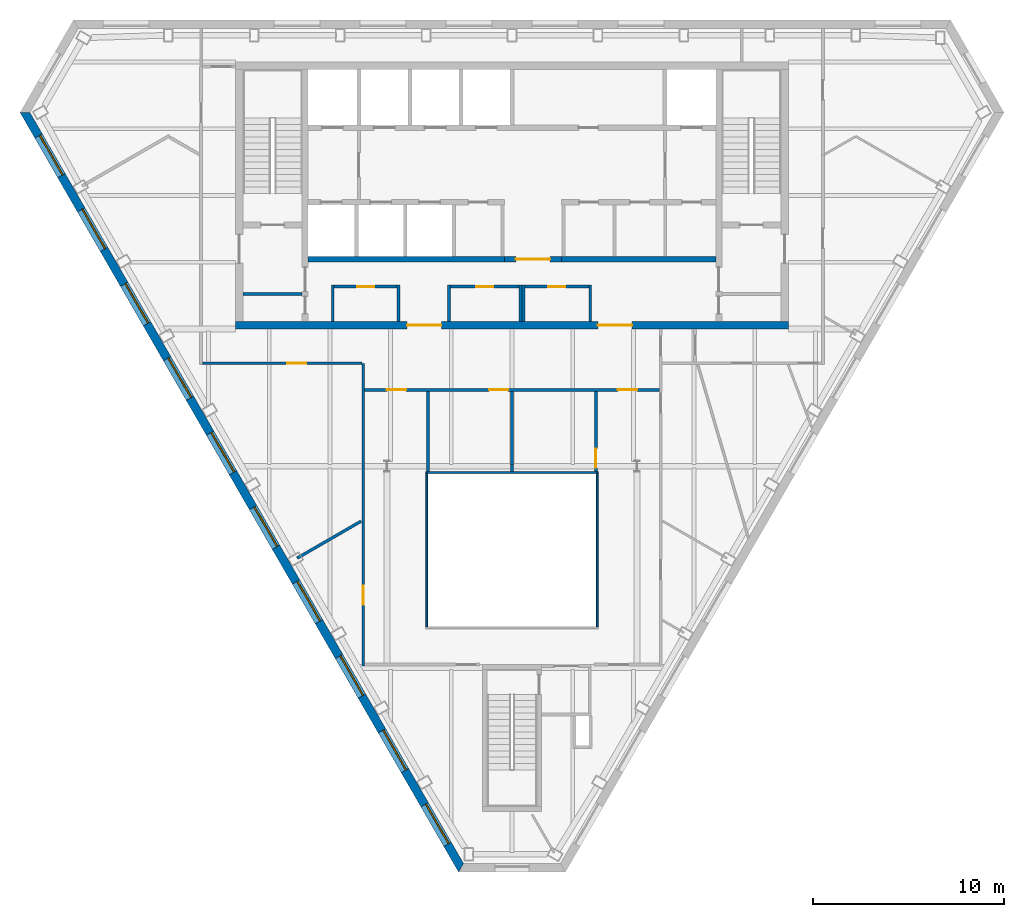
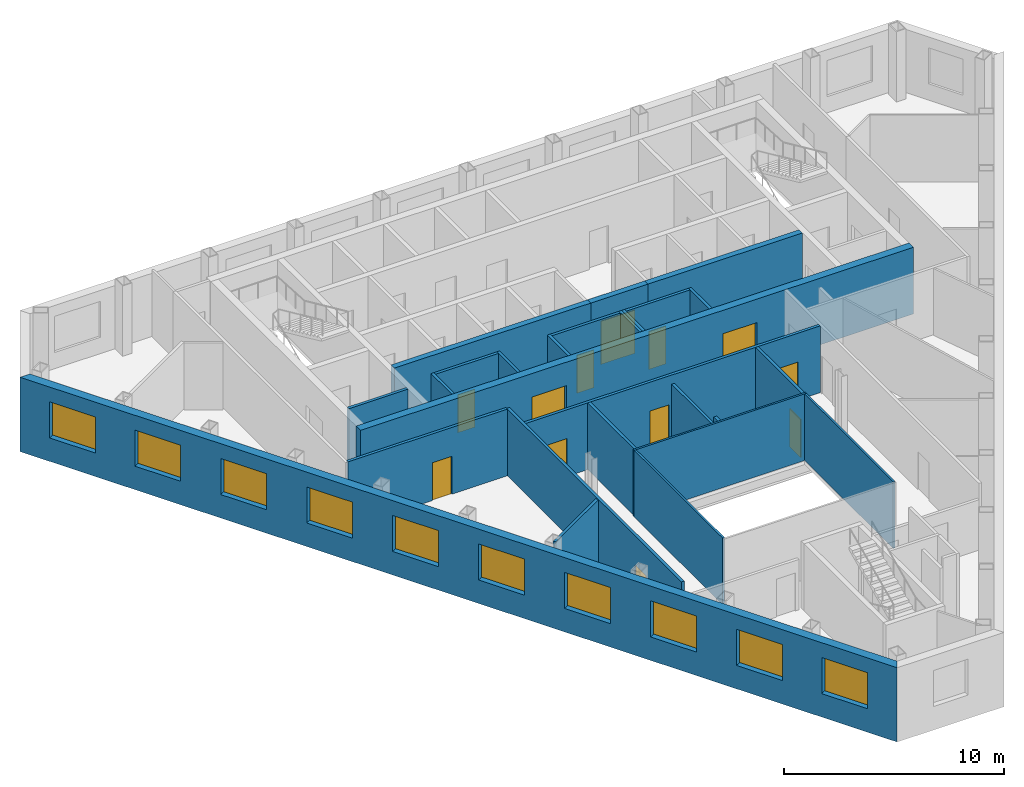
# One storey, part 4 of 10: 26 walls, 12 doors, 10 windows, 22 openings.
"""IFC4 building model written with IfcOpenShell, lengths in metres."""

import ifcopenshell
import ifcopenshell.guid

model = None  # the IFC model being written
_history = None  # IfcOwnerHistory: only IFC2X3 demands one
_inside = {}  # id of a spatial element -> (the spatial element, [elements in it])
_under = {}  # id of a project, library or spatial element -> (it, [spatial elements below it])
_declared = {}  # id of a project -> (the project, [libraries it declares])
_typed = {}  # id of a type object -> (the type object, [elements of that type])
_made_of = {}  # id of a material, layer set ... -> (it, [elements and type objects made of it])


def new_model(schema):
    """Start an empty IFC model of exactly this schema.

    Asked for "IFC4X3", IfcOpenShell would pick the latest addendum, in which some entities
    have other attributes; the version numbers below select the first issue.
    IFC2X3 requires an IfcOwnerHistory on every rooted entity: one is made here for all.
    """
    global model, _history
    if schema == "IFC4X3":
        model = ifcopenshell.file(schema_version=(4, 3, 0, 0))
    else:
        model = ifcopenshell.file(schema=schema)
    _inside.clear()
    _under.clear()
    _declared.clear()
    _typed.clear()
    _made_of.clear()
    _history = None
    if model.schema == "IFC2X3":
        org = make("IfcOrganization", Name="unknown")
        user = make(
            "IfcPersonAndOrganization",
            ThePerson=make("IfcPerson", FamilyName="unknown"),
            TheOrganization=org,
        )
        app = make(
            "IfcApplication",
            ApplicationDeveloper=org,
            Version="unknown",
            ApplicationFullName="unknown",
            ApplicationIdentifier="unknown",
        )
        _history = make(
            "IfcOwnerHistory",
            OwningUser=user,
            OwningApplication=app,
            ChangeAction="ADDED",
            CreationDate=0,
        )
    return model


def make(cls, **values):
    """One entity of the class cls with the attributes given. An attribute that is None is left unset."""
    return model.create_entity(
        cls, **{name: value for name, value in values.items() if value is not None}
    )


def rooted(cls, **values):
    """An entity with a GlobalId (a new one), such as an element, a storey or a relation."""
    return make(cls, GlobalId=ifcopenshell.guid.new(), OwnerHistory=_history, **values)


def si_unit(unit_type, name, prefix=None):
    """IfcSIUnit, for example si_unit("LENGTHUNIT", "METRE", prefix="MILLI")."""
    return make("IfcSIUnit", UnitType=unit_type, Prefix=prefix, Name=name)


def assignment(units):
    """IfcUnitAssignment: the units of a project."""
    return None if units is None else make("IfcUnitAssignment", Units=units)


def point(xyz):
    """IfcCartesianPoint."""
    return None if xyz is None else make("IfcCartesianPoint", Coordinates=xyz)


def direction(xyz):
    """IfcDirection."""
    return None if xyz is None else make("IfcDirection", DirectionRatios=xyz)


def frame(location, z_axis=None, x_axis=None):
    """IfcAxis2Placement3D, a coordinate frame: its origin and axes. An axis left out is left unset."""
    return make(
        "IfcAxis2Placement3D",
        Location=point(location),
        Axis=direction(z_axis),
        RefDirection=direction(x_axis),
    )


def frame_2d(location, x_axis=None):
    """IfcAxis2Placement2D, a coordinate frame in the plane: its origin and x axis."""
    return make(
        "IfcAxis2Placement2D", Location=point(location), RefDirection=direction(x_axis)
    )


def origin():
    """The frame at (0, 0, 0) with its axes left unset."""
    return frame((0.0, 0.0, 0.0))


def place(relative_to, where):
    """IfcLocalPlacement: puts the frame where relative to a parent placement (None: the world)."""
    return make(
        "IfcLocalPlacement", PlacementRelTo=relative_to, RelativePlacement=where
    )


def context(
    kind, dimensions, precision=None, world=None, true_north=None, identifier=None
):
    """IfcGeometricRepresentationContext, for example the 3D "Model" context."""
    return make(
        "IfcGeometricRepresentationContext",
        ContextIdentifier=identifier,
        ContextType=kind,
        CoordinateSpaceDimension=dimensions,
        Precision=precision,
        WorldCoordinateSystem=world,
        TrueNorth=true_north,
    )


def subcontext(parent, identifier, kind, view, scale=None):
    """IfcGeometricRepresentationSubContext, for example "Body" below "Model"."""
    return make(
        "IfcGeometricRepresentationSubContext",
        ContextIdentifier=identifier,
        ContextType=kind,
        ParentContext=parent,
        TargetScale=scale,
        TargetView=view,
    )


def project(units=None, contexts=None):
    """IfcProject with its units and contexts."""
    return rooted(
        "IfcProject",
        Name="project",
        RepresentationContexts=contexts,
        UnitsInContext=assignment(units),
    )


def spatial(cls, under=None, at=None, **own):
    """A site, building, storey or space (cls), placed at a placement, below another one or the project."""
    s = rooted(cls, ObjectPlacement=at, **own)
    if under is not None:
        _under.setdefault(under.id(), (under, []))[1].append(s)
    return s


def polyline(points):
    """IfcPolyline through the points."""
    return make("IfcPolyline", Points=[point(p) for p in points])


def profile(cls, at=None, kind="AREA", **sizes):
    """A parametric profile (cls). Its sizes go by their IFC names, for example OverallWidth=200.0."""
    return make(cls, ProfileType=kind, Position=at, **sizes)


def rectangle(**sizes):
    """IfcRectangleProfileDef."""
    return profile("IfcRectangleProfileDef", **sizes)


def outline(outer, holes=None, kind="AREA"):
    """IfcArbitraryClosedProfileDef: a profile drawn as a closed curve; with holes, ...WithVoids."""
    if holes is None:
        return make("IfcArbitraryClosedProfileDef", ProfileType=kind, OuterCurve=outer)
    return make(
        "IfcArbitraryProfileDefWithVoids",
        ProfileType=kind,
        OuterCurve=outer,
        InnerCurves=holes,
    )


def extrude(swept, where, along, depth):
    """IfcExtrudedAreaSolid: the profile swept, set in the frame where, extruded along a direction by depth."""
    return make(
        "IfcExtrudedAreaSolid",
        SweptArea=swept,
        Position=where,
        ExtrudedDirection=direction(along),
        Depth=depth,
    )


def shape(context_of_items, identifier, shape_type, items):
    """IfcShapeRepresentation: the items that make up one representation, for example the "Body"."""
    return make(
        "IfcShapeRepresentation",
        ContextOfItems=context_of_items,
        RepresentationIdentifier=identifier,
        RepresentationType=shape_type,
        Items=items,
    )


def material(Name=None, Category=None):
    """IfcMaterial."""
    return make("IfcMaterial", Name=Name, Category=Category)


def layer(
    of_material, thickness, ventilated=None, Name=None, Category=None, Priority=None
):
    """IfcMaterialLayer: one layer of a wall or slab, of a material (None: an air gap)."""
    return make(
        "IfcMaterialLayer",
        Material=of_material,
        LayerThickness=thickness,
        IsVentilated=ventilated,
        Name=Name,
        Category=Category,
        Priority=Priority,
    )


def layer_set(layers, Name=None):
    """IfcMaterialLayerSet."""
    return make("IfcMaterialLayerSet", MaterialLayers=layers, LayerSetName=Name)


def made_of(thing, what):
    """Note that an element or type object is made of a material, layer set ...; save() writes the relation."""
    if what is not None:
        _made_of.setdefault(what.id(), (what, []))[1].append(thing)
    return thing


def type_object(cls, material=None, **own):
    """A type object (cls), such as IfcWallType, which elements share."""
    return made_of(rooted(cls, **own), material)


def element(
    cls,
    number,
    at=None,
    inside=None,
    cuts=None,
    type_object=None,
    material=None,
    context=None,
    identifier="Body",
    shape_type=None,
    held_by="IfcProductDefinitionShape",
    body=None,
    shapes=None,
    **own,
):
    """One element of the class cls, such as IfcWall. Its Tag is "e" and its number.

    at: its placement. inside: the storey or other place that contains it. cuts: it is an
    opening in that element (IfcRelVoidsElement). A single representation is given by context,
    identifier, shape_type and body (its items); several are given by shapes. held_by: the class
    of the entity that holds the representations. save() writes the other relations.
    """
    e = rooted(cls, Tag="e%d" % number, ObjectPlacement=at, **own)
    if body is not None:
        shapes = [shape(context, identifier, shape_type, body)]
    if shapes is not None:
        e.Representation = make(held_by, Representations=shapes)
    if inside is not None:
        _inside.setdefault(inside.id(), (inside, []))[1].append(e)
    if cuts is not None:
        rooted(
            "IfcRelVoidsElement", RelatingBuildingElement=cuts, RelatedOpeningElement=e
        )
    if type_object is not None:
        _typed.setdefault(type_object.id(), (type_object, []))[1].append(e)
    return made_of(e, material)


def fill(opening, filler):
    """IfcRelFillsElement: the door or window that sits in an opening."""
    return rooted(
        "IfcRelFillsElement",
        RelatingOpeningElement=opening,
        RelatedBuildingElement=filler,
    )


def aggregate(whole, parts):
    """IfcRelAggregates: a whole, such as a stair, and the parts it consists of."""
    return rooted("IfcRelAggregates", RelatingObject=whole, RelatedObjects=parts)


def save(model, path):
    """Write the relations noted so far, then the file.

    IfcRelAggregates (storeys below a building ...), IfcRelContainedInSpatialStructure (elements
    in a storey), IfcRelDefinesByType, IfcRelAssociatesMaterial and IfcRelDeclares: one each for
    every whole, place, type object, material and project.
    """
    for whole, parts in _under.values():
        aggregate(whole, parts)
    for where, things in _inside.values():
        rooted(
            "IfcRelContainedInSpatialStructure",
            RelatedElements=things,
            RelatingStructure=where,
        )
    for kind, things in _typed.values():
        rooted("IfcRelDefinesByType", RelatedObjects=things, RelatingType=kind)
    for what, things in _made_of.values():
        rooted("IfcRelAssociatesMaterial", RelatedObjects=things, RelatingMaterial=what)
    for by, libraries in _declared.values():
        rooted("IfcRelDeclares", RelatingContext=by, RelatedDefinitions=libraries)
    model.write(path)


model = new_model("IFC4")

# Units and contexts
model_context = context("Model", 3, precision=1e-05, world=origin(), true_north=direction((0.0, 1.0)))
body_context = subcontext(model_context, "Body", "Model", "MODEL_VIEW")
ifc_project = project(units=[si_unit("LENGTHUNIT", "METRE"), si_unit("AREAUNIT", "SQUARE_METRE"), si_unit("VOLUMEUNIT", "CUBIC_METRE"), si_unit("PLANEANGLEUNIT", "RADIAN"), si_unit("MASSUNIT", "GRAM", prefix="KILO")], contexts=[model_context])

# Site, building, storey
site_placement = place(None, origin())
site = spatial("IfcSite", under=ifc_project, at=site_placement, CompositionType="ELEMENT")
building_placement = place(site_placement, origin())
building = spatial("IfcBuilding", under=site, at=building_placement, Name="Njiva Tower", CompositionType="ELEMENT")
storey_placement = place(building_placement, frame((0.0, 0.0, 276.6)))
storey = spatial("IfcBuildingStorey", under=building, at=storey_placement, Name="L63", CompositionType="ELEMENT", Elevation=276.6)

# Walls
ifc_material_1 = material(Name="Blockwork", Category="masonry")
ifc_layer_1 = layer(ifc_material_1, 0.15)
ifc_layer_set_1 = layer_set([ifc_layer_1], Name="Blockwork")
wall_type_1 = type_object("IfcWallType", Name="WT1 Compartment partition 150", PredefinedType="PARTITIONING", material=ifc_layer_set_1)
wall_1_placement = place(storey_placement, frame((-14.1, 5.825, 0.0), z_axis=(0.0, 0.0, 1.0), x_axis=(1.0, 0.0, 0.0)))
element("IfcWall", 1, at=wall_1_placement, inside=storey, type_object=wall_type_1, Name="Room wall A", PredefinedType="PARTITIONING", context=body_context, shape_type="SweptSolid", body=[
    extrude(rectangle(XDim=3.1, YDim=0.15, at=frame_2d((1.55, 0.0))), origin(), (0.0, 0.0, 1.0), 3.7),
])
for number, where, z_axis, x_axis, name in (
    (2, (-9.4, 4.4, 0.0), (0.0, 0.0, 1.0), (0.0, 1.0, 0.0), "Tenant reception wall west"),
    (3, (-5.95, 4.4, 0.0), (0.0, 0.0, 1.0), (0.0, 1.0, 0.0), "Tenant reception wall east"),
):
    element("IfcWall", number, at=place(storey_placement, frame(where, z_axis=z_axis, x_axis=x_axis)), inside=storey, type_object=wall_type_1, Name=name, PredefinedType="PARTITIONING", context=body_context, shape_type="SweptSolid", body=[
        extrude(rectangle(XDim=1.895, YDim=0.15, at=frame_2d((0.9475, 0.0))), origin(), (0.0, 0.0, 1.0), 3.7),
    ])

# Wall, opening, door
wall_2_placement = place(storey_placement, frame((-9.325, 6.22, 0.0), z_axis=(0.0, 0.0, 1.0), x_axis=(1.0, 0.0, 0.0)))
wall_2 = element("IfcWall", 4, at=wall_2_placement, inside=storey, type_object=wall_type_1, Name="Tenant reception wall north", PredefinedType="PARTITIONING", context=body_context, shape_type="SweptSolid", body=[
    extrude(rectangle(XDim=3.3, YDim=0.15, at=frame_2d((1.65, 0.0))), origin(), (0.0, 0.0, 1.0), 3.7),
])
opening_1_placement = place(wall_2_placement, frame((1.2, 0.0, 0.0)))
opening_1 = element("IfcOpeningElement", 5, at=opening_1_placement, cuts=wall_2, Name="Opening S20-D924", PredefinedType="OPENING", context=body_context, shape_type="SweptSolid", body=[
    extrude(rectangle(XDim=0.9, YDim=2.1, at=frame_2d((0.45, 1.05))), frame((0.0, 0.085, 0.0), z_axis=(0.0, -1.0, 0.0), x_axis=(1.0, 0.0, 0.0)), (0.0, 0.0, 1.0), 0.17),
])
ifc_material_2 = material(Name="Steel fire door, painted", Category="steel")
door_type_1 = type_object("IfcDoorType", Name="D6 Fire-rated door 900x2100", OperationType="SINGLE_SWING_LEFT", PredefinedType="DOOR", material=ifc_material_2)
door_1_placement = place(opening_1_placement, origin())
door_1 = element("IfcDoor", 6, at=door_1_placement, inside=storey, type_object=door_type_1, Name="Tenant reception door", OperationType="SINGLE_SWING_RIGHT", OverallHeight=2.1, OverallWidth=0.9, PredefinedType="DOOR", context=body_context, shape_type="SweptSolid", body=[
    extrude(rectangle(XDim=0.9, YDim=2.1, at=frame_2d((0.45, 1.05))), frame((0.0, 0.025, 0.0), z_axis=(0.0, -1.0, 0.0), x_axis=(1.0, 0.0, 0.0)), (0.0, 0.0, 1.0), 0.05),
])
fill(opening_1, door_1)

# Walls
for number, where, z_axis, x_axis, name in (
    (7, (-3.3, 4.4, 0.0), (0.0, 0.0, 1.0), (0.0, 1.0, 0.0), "Waiting room wall west"),
    (8, (0.45, 4.4, 0.0), (0.0, 0.0, 1.0), (0.0, 1.0, 0.0), "Waiting room wall east"),
):
    element("IfcWall", number, at=place(storey_placement, frame(where, z_axis=z_axis, x_axis=x_axis)), inside=storey, type_object=wall_type_1, Name=name, PredefinedType="PARTITIONING", context=body_context, shape_type="SweptSolid", body=[
        extrude(rectangle(XDim=1.895, YDim=0.15, at=frame_2d((0.9475, 0.0))), origin(), (0.0, 0.0, 1.0), 3.7),
    ])

# Wall, opening, door
wall_3_placement = place(storey_placement, frame((-3.225, 6.22, 0.0), z_axis=(0.0, 0.0, 1.0), x_axis=(1.0, 0.0, 0.0)))
wall_3 = element("IfcWall", 9, at=wall_3_placement, inside=storey, type_object=wall_type_1, Name="Waiting room wall north", PredefinedType="PARTITIONING", context=body_context, shape_type="SweptSolid", body=[
    extrude(rectangle(XDim=3.6, YDim=0.15, at=frame_2d((1.8, 0.0))), origin(), (0.0, 0.0, 1.0), 3.7),
])
opening_2_placement = place(wall_3_placement, frame((1.35, 0.0, 0.0)))
opening_2 = element("IfcOpeningElement", 10, at=opening_2_placement, cuts=wall_3, Name="Opening S20-D925", PredefinedType="OPENING", context=body_context, shape_type="SweptSolid", body=[
    extrude(rectangle(XDim=0.9, YDim=2.1, at=frame_2d((0.45, 1.05))), frame((0.0, 0.085, 0.0), z_axis=(0.0, -1.0, 0.0), x_axis=(1.0, 0.0, 0.0)), (0.0, 0.0, 1.0), 0.17),
])
door_2_placement = place(opening_2_placement, origin())
door_2 = element("IfcDoor", 11, at=door_2_placement, inside=storey, type_object=door_type_1, Name="Waiting room door", OperationType="SINGLE_SWING_LEFT", OverallHeight=2.1, OverallWidth=0.9, PredefinedType="DOOR", context=body_context, shape_type="SweptSolid", body=[
    extrude(rectangle(XDim=0.9, YDim=2.1, at=frame_2d((0.45, 1.05))), frame((0.0, 0.025, 0.0), z_axis=(0.0, -1.0, 0.0), x_axis=(1.0, 0.0, 0.0)), (0.0, 0.0, 1.0), 0.05),
])
fill(opening_2, door_2)

# Walls
for number, where, z_axis, x_axis, name in (
    (12, (0.6, 4.4, 0.0), (0.0, 0.0, 1.0), (0.0, 1.0, 0.0), "First aid room wall west"),
    (13, (4.1, 4.4, 0.0), (0.0, 0.0, 1.0), (0.0, 1.0, 0.0), "First aid room wall east"),
):
    element("IfcWall", number, at=place(storey_placement, frame(where, z_axis=z_axis, x_axis=x_axis)), inside=storey, type_object=wall_type_1, Name=name, PredefinedType="PARTITIONING", context=body_context, shape_type="SweptSolid", body=[
        extrude(rectangle(XDim=1.895, YDim=0.15, at=frame_2d((0.9475, 0.0))), origin(), (0.0, 0.0, 1.0), 3.7),
    ])

# Wall, opening, door
wall_4_placement = place(storey_placement, frame((0.675, 6.22, 0.0), z_axis=(0.0, 0.0, 1.0), x_axis=(1.0, 0.0, 0.0)))
wall_4 = element("IfcWall", 14, at=wall_4_placement, inside=storey, type_object=wall_type_1, Name="First aid room wall north", PredefinedType="PARTITIONING", context=body_context, shape_type="SweptSolid", body=[
    extrude(rectangle(XDim=3.35, YDim=0.15, at=frame_2d((1.675, 0.0))), origin(), (0.0, 0.0, 1.0), 3.7),
])
opening_3_placement = place(wall_4_placement, frame((1.225, 0.0, 0.0)))
opening_3 = element("IfcOpeningElement", 15, at=opening_3_placement, cuts=wall_4, Name="Opening S20-D926", PredefinedType="OPENING", context=body_context, shape_type="SweptSolid", body=[
    extrude(rectangle(XDim=0.9, YDim=2.1, at=frame_2d((0.45, 1.05))), frame((0.0, 0.085, 0.0), z_axis=(0.0, -1.0, 0.0), x_axis=(1.0, 0.0, 0.0)), (0.0, 0.0, 1.0), 0.17),
])
door_3_placement = place(opening_3_placement, origin())
door_3 = element("IfcDoor", 16, at=door_3_placement, inside=storey, type_object=door_type_1, Name="First aid room door", OperationType="SINGLE_SWING_LEFT", OverallHeight=2.1, OverallWidth=0.9, PredefinedType="DOOR", context=body_context, shape_type="SweptSolid", body=[
    extrude(rectangle(XDim=0.9, YDim=2.1, at=frame_2d((0.45, 1.05))), frame((0.0, 0.025, 0.0), z_axis=(0.0, -1.0, 0.0), x_axis=(1.0, 0.0, 0.0)), (0.0, 0.0, 1.0), 0.05),
])
fill(opening_3, door_3)

# Wall, openings, doors
ifc_material_3 = material(Name="Concrete C60/75", Category="concrete")
ifc_layer_2 = layer(ifc_material_3, 0.4)
ifc_layer_set_2 = layer_set([ifc_layer_2], Name="Concrete C60/75")
wall_type_2 = type_object("IfcWallType", Name="WT11 Core wall 400", PredefinedType="SHEAR", material=ifc_layer_set_2)
wall_5_placement = place(storey_placement, frame((-14.5, 4.2, 0.0), z_axis=(0.0, 0.0, 1.0), x_axis=(1.0, 0.0, 0.0)))
wall_5 = element("IfcWall", 17, at=wall_5_placement, inside=storey, type_object=wall_type_2, Name="Core wall south", PredefinedType="SHEAR", context=body_context, shape_type="SweptSolid", body=[
    extrude(rectangle(XDim=29.0, YDim=0.4, at=frame_2d((14.5, 0.0))), origin(), (0.0, 0.0, 1.0), 3.7),
])
opening_4_placement = place(wall_5_placement, frame((9.0, 0.0, 0.0)))
opening_4 = element("IfcOpeningElement", 18, at=opening_4_placement, cuts=wall_5, Name="Opening S20-D928", PredefinedType="OPENING", context=body_context, shape_type="SweptSolid", body=[
    extrude(rectangle(XDim=1.8, YDim=2.4, at=frame_2d((0.9, 1.2))), frame((0.0, 0.21, 0.0), z_axis=(0.0, -1.0, 0.0), x_axis=(1.0, 0.0, 0.0)), (0.0, 0.0, 1.0), 0.42),
])
opening_5_placement = place(wall_5_placement, frame((19.0, 0.0, 0.0)))
opening_5 = element("IfcOpeningElement", 19, at=opening_5_placement, cuts=wall_5, Name="Opening S20-D929", PredefinedType="OPENING", context=body_context, shape_type="SweptSolid", body=[
    extrude(rectangle(XDim=1.8, YDim=2.4, at=frame_2d((0.9, 1.2))), frame((0.0, 0.21, 0.0), z_axis=(0.0, -1.0, 0.0), x_axis=(1.0, 0.0, 0.0)), (0.0, 0.0, 1.0), 0.42),
])
ifc_material_4 = material(Name="Steel and glass door", Category="steel")
door_type_2 = type_object("IfcDoorType", Name="D3 Core entrance door 1800x2400", OperationType="DOUBLE_DOOR_SINGLE_SWING", PredefinedType="DOOR", material=ifc_material_4)
door_4_placement = place(opening_4_placement, origin())
door_4 = element("IfcDoor", 20, at=door_4_placement, inside=storey, type_object=door_type_2, Name="Core entrance door", OperationType="DOUBLE_DOOR_SINGLE_SWING", OverallHeight=2.4, OverallWidth=1.8, PredefinedType="DOOR", context=body_context, shape_type="SweptSolid", body=[
    extrude(rectangle(XDim=1.8, YDim=2.4, at=frame_2d((0.9, 1.2))), frame((0.0, 0.025, 0.0), z_axis=(0.0, -1.0, 0.0), x_axis=(1.0, 0.0, 0.0)), (0.0, 0.0, 1.0), 0.05),
])
fill(opening_4, door_4)
door_5_placement = place(opening_5_placement, origin())
door_5 = element("IfcDoor", 21, at=door_5_placement, inside=storey, type_object=door_type_2, Name="Core entrance door", OperationType="DOUBLE_DOOR_SINGLE_SWING", OverallHeight=2.4, OverallWidth=1.8, PredefinedType="DOOR", context=body_context, shape_type="SweptSolid", body=[
    extrude(rectangle(XDim=1.8, YDim=2.4, at=frame_2d((0.9, 1.2))), frame((0.0, 0.025, 0.0), z_axis=(0.0, -1.0, 0.0), x_axis=(1.0, 0.0, 0.0)), (0.0, 0.0, 1.0), 0.05),
])
fill(opening_5, door_5)

# Wall, opening, door
ifc_material_5 = material(Name="Gypsum board on steel studs", Category="gypsum")
ifc_layer_3 = layer(ifc_material_5, 0.15)
ifc_layer_set_3 = layer_set([ifc_layer_3], Name="Gypsum board on steel studs")
wall_type_3 = type_object("IfcWallType", Name="WT21 Compartment wall 150", PredefinedType="PARTITIONING", material=ifc_layer_set_3)
wall_6_placement = place(storey_placement, frame((-16.225, 2.2, 0.0), z_axis=(0.0, 0.0, 1.0), x_axis=(1.0, 0.0, 0.0)))
wall_6 = element("IfcWall", 22, at=wall_6_placement, inside=storey, type_object=wall_type_3, Name="Partition S20-P005", PredefinedType="PARTITIONING", context=body_context, shape_type="SweptSolid", body=[
    extrude(rectangle(XDim=8.35, YDim=0.15, at=frame_2d((4.175, 0.0))), origin(), (0.0, 0.0, 1.0), 3.7),
])
opening_6_placement = place(wall_6_placement, frame((4.431, 0.0, 0.0)))
opening_6 = element("IfcOpeningElement", 23, at=opening_6_placement, cuts=wall_6, Name="Opening S20-D002", PredefinedType="OPENING", context=body_context, shape_type="SweptSolid", body=[
    extrude(rectangle(XDim=1.0, YDim=2.1, at=frame_2d((0.5, 1.05))), frame((0.0, 0.085, 0.0), z_axis=(0.0, -1.0, 0.0), x_axis=(1.0, 0.0, 0.0)), (0.0, 0.0, 1.0), 0.17),
])
ifc_material_6 = material(Name="Steel fire door set", Category="steel")
door_type_3 = type_object("IfcDoorType", Name="D37 Fire door 1000x2100", OperationType="SINGLE_SWING_LEFT", PredefinedType="DOOR", material=ifc_material_6)
door_6_placement = place(opening_6_placement, origin())
door_6 = element("IfcDoor", 24, at=door_6_placement, inside=storey, type_object=door_type_3, Name="Door S20-D002", OperationType="SINGLE_SWING_RIGHT", OverallHeight=2.1, OverallWidth=1.0, PredefinedType="DOOR", context=body_context, shape_type="SweptSolid", body=[
    extrude(rectangle(XDim=1.0, YDim=2.1, at=frame_2d((0.5, 1.05))), frame((0.0, 0.025, 0.0), z_axis=(0.0, -1.0, 0.0), x_axis=(1.0, 0.0, 0.0)), (0.0, 0.0, 1.0), 0.05),
])
fill(opening_6, door_6)

# Wall
wall_7_placement = place(storey_placement, frame((-11.267, -8.021, 0.0), z_axis=(0.0, 0.0, 1.0), x_axis=(0.865850162789, 0.500303403544, 0.0)))
element("IfcWall", 25, at=wall_7_placement, inside=storey, type_object=wall_type_3, Name="Partition S20-P007", PredefinedType="PARTITIONING", context=body_context, shape_type="SweptSolid", body=[
    extrude(rectangle(XDim=3.8736, YDim=0.15, at=frame_2d((1.9368, 0.0))), origin(), (0.0, 0.0, 1.0), 3.7),
])

# Wall, opening, door
wall_8_placement = place(storey_placement, frame((-7.8, -13.675, 0.0), z_axis=(0.0, 0.0, 1.0), x_axis=(0.0, 1.0, 0.0)))
wall_8 = element("IfcWall", 26, at=wall_8_placement, inside=storey, type_object=wall_type_3, Name="Partition S20-P008", PredefinedType="PARTITIONING", context=body_context, shape_type="SweptSolid", body=[
    extrude(rectangle(XDim=15.872, YDim=0.15, at=frame_2d((7.936, 0.0))), origin(), (0.0, 0.0, 1.0), 3.7),
])
opening_7_placement = place(wall_8_placement, frame((3.213, 0.0, 0.0)))
opening_7 = element("IfcOpeningElement", 27, at=opening_7_placement, cuts=wall_8, Name="Opening S20-D004", PredefinedType="OPENING", context=body_context, shape_type="SweptSolid", body=[
    extrude(rectangle(XDim=1.0, YDim=2.1, at=frame_2d((0.5, 1.05))), frame((0.0, 0.085, 0.0), z_axis=(0.0, -1.0, 0.0), x_axis=(1.0, 0.0, 0.0)), (0.0, 0.0, 1.0), 0.17),
])
door_7_placement = place(opening_7_placement, origin())
door_7 = element("IfcDoor", 28, at=door_7_placement, inside=storey, type_object=door_type_3, Name="Door S20-D004", OperationType="SINGLE_SWING_LEFT", OverallHeight=2.1, OverallWidth=1.0, PredefinedType="DOOR", context=body_context, shape_type="SweptSolid", body=[
    extrude(rectangle(XDim=1.0, YDim=2.1, at=frame_2d((0.5, 1.05))), frame((0.0, 0.025, 0.0), z_axis=(0.0, -1.0, 0.0), x_axis=(1.0, 0.0, 0.0)), (0.0, 0.0, 1.0), 0.05),
])
fill(opening_7, door_7)

# Wall, openings, doors
wall_9_placement = place(storey_placement, frame((-7.725, 0.8, 0.0), z_axis=(0.0, 0.0, 1.0), x_axis=(1.0, 0.0, 0.0)))
wall_9 = element("IfcWall", 29, at=wall_9_placement, inside=storey, type_object=wall_type_3, Name="Partition S20-P010", PredefinedType="PARTITIONING", context=body_context, shape_type="SweptSolid", body=[
    extrude(rectangle(XDim=15.45, YDim=0.15, at=frame_2d((7.725, 0.0))), origin(), (0.0, 0.0, 1.0), 3.7),
])
opening_8_placement = place(wall_9_placement, frame((1.168, 0.0, 0.0)))
opening_8 = element("IfcOpeningElement", 30, at=opening_8_placement, cuts=wall_9, Name="Opening S20-D006", PredefinedType="OPENING", context=body_context, shape_type="SweptSolid", body=[
    extrude(rectangle(XDim=1.0, YDim=2.1, at=frame_2d((0.5, 1.05))), frame((0.0, 0.085, 0.0), z_axis=(0.0, -1.0, 0.0), x_axis=(1.0, 0.0, 0.0)), (0.0, 0.0, 1.0), 0.17),
])
opening_9_placement = place(wall_9_placement, frame((6.524, 0.0, 0.0)))
opening_9 = element("IfcOpeningElement", 31, at=opening_9_placement, cuts=wall_9, Name="Opening S20-D007", PredefinedType="OPENING", context=body_context, shape_type="SweptSolid", body=[
    extrude(rectangle(XDim=1.0, YDim=2.1, at=frame_2d((0.5, 1.05))), frame((0.0, 0.085, 0.0), z_axis=(0.0, -1.0, 0.0), x_axis=(1.0, 0.0, 0.0)), (0.0, 0.0, 1.0), 0.17),
])
opening_10_placement = place(wall_9_placement, frame((13.281, 0.0, 0.0)))
opening_10 = element("IfcOpeningElement", 32, at=opening_10_placement, cuts=wall_9, Name="Opening S20-D008", PredefinedType="OPENING", context=body_context, shape_type="SweptSolid", body=[
    extrude(rectangle(XDim=1.0, YDim=2.1, at=frame_2d((0.5, 1.05))), frame((0.0, 0.085, 0.0), z_axis=(0.0, -1.0, 0.0), x_axis=(1.0, 0.0, 0.0)), (0.0, 0.0, 1.0), 0.17),
])
door_8_placement = place(opening_8_placement, origin())
door_8 = element("IfcDoor", 33, at=door_8_placement, inside=storey, type_object=door_type_3, Name="Door S20-D006", OperationType="SINGLE_SWING_RIGHT", OverallHeight=2.1, OverallWidth=1.0, PredefinedType="DOOR", context=body_context, shape_type="SweptSolid", body=[
    extrude(rectangle(XDim=1.0, YDim=2.1, at=frame_2d((0.5, 1.05))), frame((0.0, 0.025, 0.0), z_axis=(0.0, -1.0, 0.0), x_axis=(1.0, 0.0, 0.0)), (0.0, 0.0, 1.0), 0.05),
])
fill(opening_8, door_8)
door_9_placement = place(opening_9_placement, origin())
door_9 = element("IfcDoor", 34, at=door_9_placement, inside=storey, type_object=door_type_3, Name="Door S20-D007", OperationType="SINGLE_SWING_LEFT", OverallHeight=2.1, OverallWidth=1.0, PredefinedType="DOOR", context=body_context, shape_type="SweptSolid", body=[
    extrude(rectangle(XDim=1.0, YDim=2.1, at=frame_2d((0.5, 1.05))), frame((0.0, 0.025, 0.0), z_axis=(0.0, -1.0, 0.0), x_axis=(1.0, 0.0, 0.0)), (0.0, 0.0, 1.0), 0.05),
])
fill(opening_9, door_9)
door_10_placement = place(opening_10_placement, origin())
door_10 = element("IfcDoor", 35, at=door_10_placement, inside=storey, type_object=door_type_3, Name="Door S20-D008", OperationType="SINGLE_SWING_LEFT", OverallHeight=2.1, OverallWidth=1.0, PredefinedType="DOOR", context=body_context, shape_type="SweptSolid", body=[
    extrude(rectangle(XDim=1.0, YDim=2.1, at=frame_2d((0.5, 1.05))), frame((0.0, 0.025, 0.0), z_axis=(0.0, -1.0, 0.0), x_axis=(1.0, 0.0, 0.0)), (0.0, 0.0, 1.0), 0.05),
])
fill(opening_10, door_10)

# Walls
wall_10_placement = place(storey_placement, frame((-4.4, -3.48, 0.0), z_axis=(0.0, 0.0, 1.0), x_axis=(0.0, 1.0, 0.0)))
element("IfcWall", 36, at=wall_10_placement, inside=storey, type_object=wall_type_3, Name="Partition S20-P011", PredefinedType="PARTITIONING", context=body_context, shape_type="SweptSolid", body=[
    extrude(rectangle(XDim=4.205, YDim=0.15, at=frame_2d((2.1025, 0.0))), origin(), (0.0, 0.0, 1.0), 3.7),
])
wall_11_placement = place(storey_placement, frame((-0.001, 0.725, 0.0), z_axis=(0.0, 0.0, 1.0), x_axis=(0.000235294111, -0.999999972318, 0.0)))
element("IfcWall", 37, at=wall_11_placement, inside=storey, type_object=wall_type_3, Name="Partition S20-P012", PredefinedType="PARTITIONING", context=body_context, shape_type="SweptSolid", body=[
    extrude(rectangle(XDim=3.825, YDim=0.15, at=frame_2d((1.9125, 0.0))), origin(), (0.0, 0.0, 1.0), 3.2),
])
wall_12_placement = place(storey_placement, frame((-0.0001, -3.1, 0.0), z_axis=(0.0, 0.0, 1.0), x_axis=(0.000263157886, -0.999999965374, 0.0)))
element("IfcWall", 38, at=wall_12_placement, inside=storey, type_object=wall_type_3, Name="Partition S20-P012A", PredefinedType="PARTITIONING", context=body_context, shape_type="SweptSolid", body=[
    extrude(rectangle(XDim=0.38, YDim=0.15, at=frame_2d((0.19, 0.0))), origin(), (0.0, 0.0, 1.0), 3.7),
])

# Wall, opening, door
wall_13_placement = place(storey_placement, frame((4.399, 0.725, 0.0), z_axis=(0.0, 0.0, 1.0), x_axis=(0.000237812122, -0.999999971723, 0.0)))
wall_13 = element("IfcWall", 39, at=wall_13_placement, inside=storey, type_object=wall_type_3, Name="Partition S20-P015", PredefinedType="PARTITIONING", context=body_context, shape_type="SweptSolid", body=[
    extrude(rectangle(XDim=4.205, YDim=0.15, at=frame_2d((2.1025, 0.0))), origin(), (0.0, 0.0, 1.0), 3.7),
])
opening_11_placement = place(wall_13_placement, frame((3.005, 0.0, 0.0)))
opening_11 = element("IfcOpeningElement", 40, at=opening_11_placement, cuts=wall_13, Name="Opening S20-D010", PredefinedType="OPENING", context=body_context, shape_type="SweptSolid", body=[
    extrude(rectangle(XDim=1.0, YDim=2.1, at=frame_2d((0.5, 1.05))), frame((0.0, 0.085, 0.0), z_axis=(0.0, -1.0, 0.0), x_axis=(1.0, 0.0, 0.0)), (0.0, 0.0, 1.0), 0.17),
])
door_11_placement = place(opening_11_placement, origin())
door_11 = element("IfcDoor", 41, at=door_11_placement, inside=storey, type_object=door_type_3, Name="Door S20-D010", OperationType="SINGLE_SWING_RIGHT", OverallHeight=2.1, OverallWidth=1.0, PredefinedType="DOOR", context=body_context, shape_type="SweptSolid", body=[
    extrude(rectangle(XDim=1.0, YDim=2.1, at=frame_2d((0.5, 1.05))), frame((0.0, 0.025, 0.0), z_axis=(0.0, -1.0, 0.0), x_axis=(1.0, 0.0, 0.0)), (0.0, 0.0, 1.0), 0.05),
])
fill(opening_11, door_11)

ifc_layer_4 = layer(ifc_material_1, 0.3)
ifc_layer_set_4 = layer_set([ifc_layer_4], Name="Blockwork")
wall_type_4 = type_object("IfcWallType", Name="WT5 Lobby partition 300", PredefinedType="PARTITIONING", material=ifc_layer_set_4)
wall_14_placement = place(storey_placement, frame((-0.4, 7.65, 0.0), z_axis=(0.0, 0.0, 1.0), x_axis=(1.0, 0.0, 0.0)))
wall_14 = element("IfcWall", 42, at=wall_14_placement, inside=storey, type_object=wall_type_4, Name="Lift lobby screen wall", PredefinedType="PARTITIONING", context=body_context, shape_type="SweptSolid", body=[
    extrude(rectangle(XDim=3.0, YDim=0.3, at=frame_2d((1.5, 0.0))), origin(), (0.0, 0.0, 1.0), 3.7),
])
opening_12_placement = place(wall_14_placement, frame((0.6, 0.0, 0.0)))
opening_12 = element("IfcOpeningElement", 43, at=opening_12_placement, cuts=wall_14, Name="Opening S20-D927", PredefinedType="OPENING", context=body_context, shape_type="SweptSolid", body=[
    extrude(rectangle(XDim=1.8, YDim=2.4, at=frame_2d((0.9, 1.2))), frame((0.0, 0.16, 0.0), z_axis=(0.0, -1.0, 0.0), x_axis=(1.0, 0.0, 0.0)), (0.0, 0.0, 1.0), 0.32),
])
door_12_placement = place(opening_12_placement, origin())
door_12 = element("IfcDoor", 44, at=door_12_placement, inside=storey, type_object=door_type_2, Name="Core entrance door", OperationType="DOUBLE_DOOR_SINGLE_SWING", OverallHeight=2.4, OverallWidth=1.8, PredefinedType="DOOR", context=body_context, shape_type="SweptSolid", body=[
    extrude(rectangle(XDim=1.8, YDim=2.4, at=frame_2d((0.9, 1.2))), frame((0.0, 0.025, 0.0), z_axis=(0.0, -1.0, 0.0), x_axis=(1.0, 0.0, 0.0)), (0.0, 0.0, 1.0), 0.05),
])
fill(opening_12, door_12)

# Walls
ifc_material_7 = material(Name="Concrete C40/50", Category="concrete")
ifc_layer_5 = layer(ifc_material_7, 0.3)
ifc_layer_set_5 = layer_set([ifc_layer_5], Name="Concrete C40/50")
wall_type_5 = type_object("IfcWallType", Name="WT7 Lift shaft wall 300", PredefinedType="SHEAR", material=ifc_layer_set_5)
wall_15_placement = place(storey_placement, frame((-10.7, 7.65, 0.0), z_axis=(0.0, 0.0, 1.0), x_axis=(1.0, 0.0, 0.0)))
element("IfcWall", 45, at=wall_15_placement, inside=storey, type_object=wall_type_5, Name="Shaft wall south row back W", PredefinedType="SHEAR", context=body_context, shape_type="SweptSolid", body=[
    extrude(rectangle(XDim=10.3, YDim=0.3, at=frame_2d((5.15, 0.0))), origin(), (0.0, 0.0, 1.0), 3.7),
])
wall_16_placement = place(storey_placement, frame((2.6, 7.65, 0.0), z_axis=(0.0, 0.0, 1.0), x_axis=(1.0, 0.0, 0.0)))
element("IfcWall", 46, at=wall_16_placement, inside=storey, type_object=wall_type_5, Name="Shaft wall south row back E", PredefinedType="SHEAR", context=body_context, shape_type="SweptSolid", body=[
    extrude(rectangle(XDim=8.1, YDim=0.3, at=frame_2d((4.05, 0.0))), origin(), (0.0, 0.0, 1.0), 3.7),
])

# Wall, openings, windows
ifc_material_8 = material(Name="Brick masonry", Category="masonry")
ifc_layer_6 = layer(ifc_material_8, 0.45)
ifc_layer_set_6 = layer_set([ifc_layer_6], Name="Brick masonry")
wall_type_6 = type_object("IfcWallType", Name="WT90 Brick pier and spandrel wall 450", PredefinedType="SOLIDWALL", material=ifc_layer_set_6)
wall_17_placement = place(storey_placement, frame((-25.5402, 15.3503, -0.4), z_axis=(0.0, 0.0, 1.0), x_axis=(0.499999764979, -0.866025539474, 0.0)))
wall_17 = element("IfcWall", 47, at=wall_17_placement, inside=storey, type_object=wall_type_6, Name="Facade wall SW", PredefinedType="SOLIDWALL", context=body_context, shape_type="SweptSolid", body=[
    extrude(outline(polyline([(-0.1299, -0.225), (45.8701, -0.225), (45.6103, 0.225), (0.1299, 0.225), (-0.1299, -0.225)])), origin(), (0.0, 0.0, 1.0), 4.12),
])
opening_13_placement = place(wall_17_placement, frame((1.4242, 0.0, 1.3)))
opening_13 = element("IfcOpeningElement", 48, at=opening_13_placement, cuts=wall_17, Name="Opening S20-W09", PredefinedType="OPENING", context=body_context, shape_type="SweptSolid", body=[
    extrude(rectangle(XDim=2.4, YDim=2.0, at=frame_2d((1.2, 1.0))), frame((0.0, 0.235, 0.0), z_axis=(0.0, -1.0, 0.0), x_axis=(1.0, 0.0, 0.0)), (0.0, 0.0, 1.0), 0.47),
])
opening_14_placement = place(wall_17_placement, frame((5.8934, 0.0, 1.3)))
opening_14 = element("IfcOpeningElement", 49, at=opening_14_placement, cuts=wall_17, Name="Opening S20-W10", PredefinedType="OPENING", context=body_context, shape_type="SweptSolid", body=[
    extrude(rectangle(XDim=2.4, YDim=2.0, at=frame_2d((1.2, 1.0))), frame((0.0, 0.235, 0.0), z_axis=(0.0, -1.0, 0.0), x_axis=(1.0, 0.0, 0.0)), (0.0, 0.0, 1.0), 0.47),
])
opening_15_placement = place(wall_17_placement, frame((10.401, 0.0, 1.3)))
opening_15 = element("IfcOpeningElement", 50, at=opening_15_placement, cuts=wall_17, Name="Opening S20-W11", PredefinedType="OPENING", context=body_context, shape_type="SweptSolid", body=[
    extrude(rectangle(XDim=2.4, YDim=2.0, at=frame_2d((1.2, 1.0))), frame((0.0, 0.235, 0.0), z_axis=(0.0, -1.0, 0.0), x_axis=(1.0, 0.0, 0.0)), (0.0, 0.0, 1.0), 0.47),
])
opening_16_placement = place(wall_17_placement, frame((14.9087, 0.0, 1.3)))
opening_16 = element("IfcOpeningElement", 51, at=opening_16_placement, cuts=wall_17, Name="Opening S20-W12", PredefinedType="OPENING", context=body_context, shape_type="SweptSolid", body=[
    extrude(rectangle(XDim=2.4, YDim=2.0, at=frame_2d((1.2, 1.0))), frame((0.0, 0.235, 0.0), z_axis=(0.0, -1.0, 0.0), x_axis=(1.0, 0.0, 0.0)), (0.0, 0.0, 1.0), 0.47),
])
opening_17_placement = place(wall_17_placement, frame((19.4163, 0.0, 1.3)))
opening_17 = element("IfcOpeningElement", 52, at=opening_17_placement, cuts=wall_17, Name="Opening S20-W13", PredefinedType="OPENING", context=body_context, shape_type="SweptSolid", body=[
    extrude(rectangle(XDim=2.4, YDim=2.0, at=frame_2d((1.2, 1.0))), frame((0.0, 0.235, 0.0), z_axis=(0.0, -1.0, 0.0), x_axis=(1.0, 0.0, 0.0)), (0.0, 0.0, 1.0), 0.47),
])
opening_18_placement = place(wall_17_placement, frame((23.9239, 0.0, 1.3)))
opening_18 = element("IfcOpeningElement", 53, at=opening_18_placement, cuts=wall_17, Name="Opening S20-W14", PredefinedType="OPENING", context=body_context, shape_type="SweptSolid", body=[
    extrude(rectangle(XDim=2.4, YDim=2.0, at=frame_2d((1.2, 1.0))), frame((0.0, 0.235, 0.0), z_axis=(0.0, -1.0, 0.0), x_axis=(1.0, 0.0, 0.0)), (0.0, 0.0, 1.0), 0.47),
])
opening_19_placement = place(wall_17_placement, frame((28.4315, 0.0, 1.3)))
opening_19 = element("IfcOpeningElement", 54, at=opening_19_placement, cuts=wall_17, Name="Opening S20-W15", PredefinedType="OPENING", context=body_context, shape_type="SweptSolid", body=[
    extrude(rectangle(XDim=2.4, YDim=2.0, at=frame_2d((1.2, 1.0))), frame((0.0, 0.235, 0.0), z_axis=(0.0, -1.0, 0.0), x_axis=(1.0, 0.0, 0.0)), (0.0, 0.0, 1.0), 0.47),
])
opening_20_placement = place(wall_17_placement, frame((32.9391, 0.0, 1.3)))
opening_20 = element("IfcOpeningElement", 55, at=opening_20_placement, cuts=wall_17, Name="Opening S20-W16", PredefinedType="OPENING", context=body_context, shape_type="SweptSolid", body=[
    extrude(rectangle(XDim=2.4, YDim=2.0, at=frame_2d((1.2, 1.0))), frame((0.0, 0.235, 0.0), z_axis=(0.0, -1.0, 0.0), x_axis=(1.0, 0.0, 0.0)), (0.0, 0.0, 1.0), 0.47),
])
opening_21_placement = place(wall_17_placement, frame((37.4468, 0.0, 1.3)))
opening_21 = element("IfcOpeningElement", 56, at=opening_21_placement, cuts=wall_17, Name="Opening S20-W17", PredefinedType="OPENING", context=body_context, shape_type="SweptSolid", body=[
    extrude(rectangle(XDim=2.4, YDim=2.0, at=frame_2d((1.2, 1.0))), frame((0.0, 0.235, 0.0), z_axis=(0.0, -1.0, 0.0), x_axis=(1.0, 0.0, 0.0)), (0.0, 0.0, 1.0), 0.47),
])
opening_22_placement = place(wall_17_placement, frame((41.916, 0.0, 1.3)))
opening_22 = element("IfcOpeningElement", 57, at=opening_22_placement, cuts=wall_17, Name="Opening S20-W18", PredefinedType="OPENING", context=body_context, shape_type="SweptSolid", body=[
    extrude(rectangle(XDim=2.4, YDim=2.0, at=frame_2d((1.2, 1.0))), frame((0.0, 0.235, 0.0), z_axis=(0.0, -1.0, 0.0), x_axis=(1.0, 0.0, 0.0)), (0.0, 0.0, 1.0), 0.47),
])
ifc_material_9 = material(Name="Clear glazing in aluminium frame", Category="aluminium")
window_type = type_object("IfcWindowType", Name="W90 Deep-set window 2400x2000", PartitioningType="SINGLE_PANEL", PredefinedType="WINDOW", material=ifc_material_9)
window_1_placement = place(opening_13_placement, origin())
window_1 = element("IfcWindow", 58, at=window_1_placement, inside=storey, type_object=window_type, Name="Window", OverallHeight=2.0, OverallWidth=2.4, PartitioningType="SINGLE_PANEL", PredefinedType="WINDOW", context=body_context, shape_type="SweptSolid", body=[
    extrude(rectangle(XDim=2.4, YDim=2.0, at=frame_2d((1.2, 1.0))), frame((0.0, 0.105, 0.0), z_axis=(0.0, -1.0, 0.0), x_axis=(1.0, 0.0, 0.0)), (0.0, 0.0, 1.0), 0.06),
])
fill(opening_13, window_1)
window_2_placement = place(opening_14_placement, origin())
window_2 = element("IfcWindow", 59, at=window_2_placement, inside=storey, type_object=window_type, Name="Window", OverallHeight=2.0, OverallWidth=2.4, PartitioningType="SINGLE_PANEL", PredefinedType="WINDOW", context=body_context, shape_type="SweptSolid", body=[
    extrude(rectangle(XDim=2.4, YDim=2.0, at=frame_2d((1.2, 1.0))), frame((0.0, 0.105, 0.0), z_axis=(0.0, -1.0, 0.0), x_axis=(1.0, 0.0, 0.0)), (0.0, 0.0, 1.0), 0.06),
])
fill(opening_14, window_2)
window_3_placement = place(opening_15_placement, origin())
window_3 = element("IfcWindow", 60, at=window_3_placement, inside=storey, type_object=window_type, Name="Window", OverallHeight=2.0, OverallWidth=2.4, PartitioningType="SINGLE_PANEL", PredefinedType="WINDOW", context=body_context, shape_type="SweptSolid", body=[
    extrude(rectangle(XDim=2.4, YDim=2.0, at=frame_2d((1.2, 1.0))), frame((0.0, 0.105, 0.0), z_axis=(0.0, -1.0, 0.0), x_axis=(1.0, 0.0, 0.0)), (0.0, 0.0, 1.0), 0.06),
])
fill(opening_15, window_3)
window_4_placement = place(opening_16_placement, origin())
window_4 = element("IfcWindow", 61, at=window_4_placement, inside=storey, type_object=window_type, Name="Window", OverallHeight=2.0, OverallWidth=2.4, PartitioningType="SINGLE_PANEL", PredefinedType="WINDOW", context=body_context, shape_type="SweptSolid", body=[
    extrude(rectangle(XDim=2.4, YDim=2.0, at=frame_2d((1.2, 1.0))), frame((0.0, 0.105, 0.0), z_axis=(0.0, -1.0, 0.0), x_axis=(1.0, 0.0, 0.0)), (0.0, 0.0, 1.0), 0.06),
])
fill(opening_16, window_4)
window_5_placement = place(opening_17_placement, origin())
window_5 = element("IfcWindow", 62, at=window_5_placement, inside=storey, type_object=window_type, Name="Window", OverallHeight=2.0, OverallWidth=2.4, PartitioningType="SINGLE_PANEL", PredefinedType="WINDOW", context=body_context, shape_type="SweptSolid", body=[
    extrude(rectangle(XDim=2.4, YDim=2.0, at=frame_2d((1.2, 1.0))), frame((0.0, 0.105, 0.0), z_axis=(0.0, -1.0, 0.0), x_axis=(1.0, 0.0, 0.0)), (0.0, 0.0, 1.0), 0.06),
])
fill(opening_17, window_5)
window_6_placement = place(opening_18_placement, origin())
window_6 = element("IfcWindow", 63, at=window_6_placement, inside=storey, type_object=window_type, Name="Window", OverallHeight=2.0, OverallWidth=2.4, PartitioningType="SINGLE_PANEL", PredefinedType="WINDOW", context=body_context, shape_type="SweptSolid", body=[
    extrude(rectangle(XDim=2.4, YDim=2.0, at=frame_2d((1.2, 1.0))), frame((0.0, 0.105, 0.0), z_axis=(0.0, -1.0, 0.0), x_axis=(1.0, 0.0, 0.0)), (0.0, 0.0, 1.0), 0.06),
])
fill(opening_18, window_6)
window_7_placement = place(opening_19_placement, origin())
window_7 = element("IfcWindow", 64, at=window_7_placement, inside=storey, type_object=window_type, Name="Window", OverallHeight=2.0, OverallWidth=2.4, PartitioningType="SINGLE_PANEL", PredefinedType="WINDOW", context=body_context, shape_type="SweptSolid", body=[
    extrude(rectangle(XDim=2.4, YDim=2.0, at=frame_2d((1.2, 1.0))), frame((0.0, 0.105, 0.0), z_axis=(0.0, -1.0, 0.0), x_axis=(1.0, 0.0, 0.0)), (0.0, 0.0, 1.0), 0.06),
])
fill(opening_19, window_7)
window_8_placement = place(opening_20_placement, origin())
window_8 = element("IfcWindow", 65, at=window_8_placement, inside=storey, type_object=window_type, Name="Window", OverallHeight=2.0, OverallWidth=2.4, PartitioningType="SINGLE_PANEL", PredefinedType="WINDOW", context=body_context, shape_type="SweptSolid", body=[
    extrude(rectangle(XDim=2.4, YDim=2.0, at=frame_2d((1.2, 1.0))), frame((0.0, 0.105, 0.0), z_axis=(0.0, -1.0, 0.0), x_axis=(1.0, 0.0, 0.0)), (0.0, 0.0, 1.0), 0.06),
])
fill(opening_20, window_8)
window_9_placement = place(opening_21_placement, origin())
window_9 = element("IfcWindow", 66, at=window_9_placement, inside=storey, type_object=window_type, Name="Window", OverallHeight=2.0, OverallWidth=2.4, PartitioningType="SINGLE_PANEL", PredefinedType="WINDOW", context=body_context, shape_type="SweptSolid", body=[
    extrude(rectangle(XDim=2.4, YDim=2.0, at=frame_2d((1.2, 1.0))), frame((0.0, 0.105, 0.0), z_axis=(0.0, -1.0, 0.0), x_axis=(1.0, 0.0, 0.0)), (0.0, 0.0, 1.0), 0.06),
])
fill(opening_21, window_9)
window_10_placement = place(opening_22_placement, origin())
window_10 = element("IfcWindow", 67, at=window_10_placement, inside=storey, type_object=window_type, Name="Window", OverallHeight=2.0, OverallWidth=2.4, PartitioningType="SINGLE_PANEL", PredefinedType="WINDOW", context=body_context, shape_type="SweptSolid", body=[
    extrude(rectangle(XDim=2.4, YDim=2.0, at=frame_2d((1.2, 1.0))), frame((0.0, 0.105, 0.0), z_axis=(0.0, -1.0, 0.0), x_axis=(1.0, 0.0, 0.0)), (0.0, 0.0, 1.0), 0.06),
])
fill(opening_22, window_10)

# Walls
ifc_material_10 = material(Name="Fire-resisting glazing EI 90", Category="glass")
ifc_layer_7 = layer(ifc_material_10, 0.1)
ifc_layer_set_7 = layer_set([ifc_layer_7], Name="Fire-resisting glazing EI 90")
wall_type_7 = type_object("IfcWallType", Name="WT95 Fire-resisting glazed screen EI 90", PredefinedType="PARTITIONING", material=ifc_layer_set_7)
wall_18_placement = place(storey_placement, frame((4.47, -11.62, 0.0), z_axis=(0.0, 0.0, 1.0), x_axis=(0.0, 1.0, 0.0)))
element("IfcWall", 68, at=wall_18_placement, inside=storey, type_object=wall_type_7, Name="Atrium fire screen east", PredefinedType="PARTITIONING", context=body_context, shape_type="SweptSolid", body=[
    extrude(rectangle(XDim=8.04, YDim=0.1, at=frame_2d((4.02, 0.0))), origin(), (0.0, 0.0, 1.0), 3.7),
])
wall_19_placement = place(storey_placement, frame((4.52, -3.53, 0.0), z_axis=(0.0, 0.0, 1.0), x_axis=(-1.0, 0.0, 0.0)))
element("IfcWall", 69, at=wall_19_placement, inside=storey, type_object=wall_type_7, Name="Atrium fire screen north", PredefinedType="PARTITIONING", context=body_context, shape_type="SweptSolid", body=[
    extrude(rectangle(XDim=9.04, YDim=0.1, at=frame_2d((4.52, 0.0))), origin(), (0.0, 0.0, 1.0), 3.7),
])
wall_20_placement = place(storey_placement, frame((-4.47, -3.58, 0.0), z_axis=(0.0, 0.0, 1.0), x_axis=(0.0, -1.0, 0.0)))
element("IfcWall", 70, at=wall_20_placement, inside=storey, type_object=wall_type_7, Name="Atrium fire screen west", PredefinedType="PARTITIONING", context=body_context, shape_type="SweptSolid", body=[
    extrude(rectangle(XDim=8.04, YDim=0.1, at=frame_2d((4.02, 0.0))), origin(), (0.0, 0.0, 1.0), 3.7),
])

save(model, "model.ifc")
